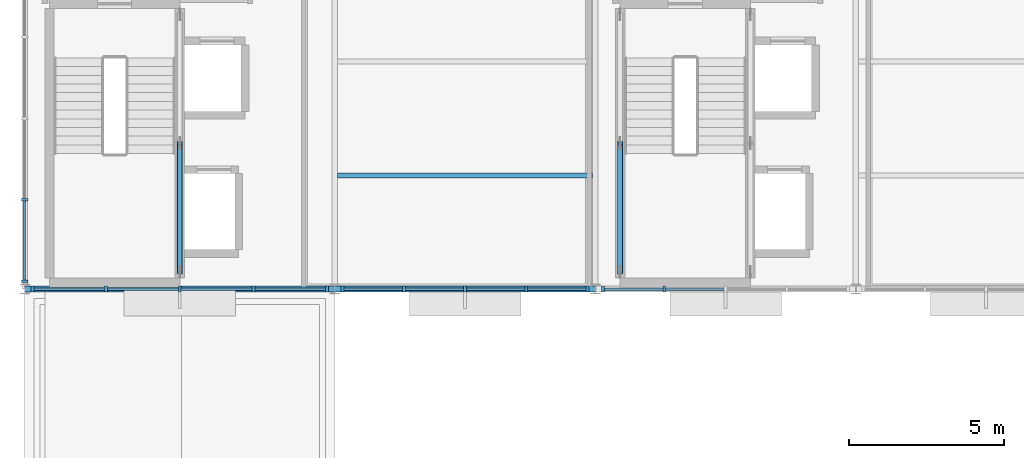
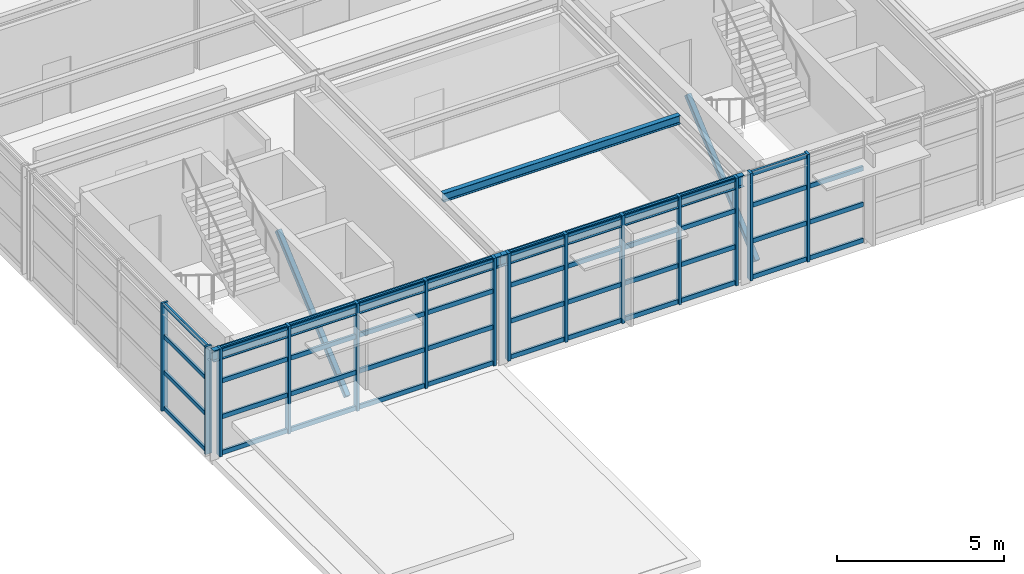
# One storey, part 5 of 21: 59 members, 3 beams, 4 elements without a shape of their own.
"""IFC4 building model written with IfcOpenShell, lengths in metres."""

from ifc_helpers import new_model, si_unit, direction, frame, origin, origin_2d, place, context, subcontext, project, spatial, rectangle, hollow_rectangle, i_section, extrude, material, layer, layer_set, material_profile, profile_set, type_object, element, aggregate, save


model = new_model("IFC4")

# Units and contexts
model_context = context("Model", 3, precision=1e-05, world=origin(), true_north=direction((0.0, 1.0)))
body_context = subcontext(model_context, "Body", "Model", "MODEL_VIEW")
ifc_project = project(units=[si_unit("LENGTHUNIT", "METRE"), si_unit("AREAUNIT", "SQUARE_METRE"), si_unit("VOLUMEUNIT", "CUBIC_METRE"), si_unit("PLANEANGLEUNIT", "RADIAN"), si_unit("MASSUNIT", "GRAM", prefix="KILO")], contexts=[model_context])

# Site, building, storey
site_placement = place(None, origin())
site = spatial("IfcSite", under=ifc_project, at=site_placement, CompositionType="ELEMENT")
building_placement = place(site_placement, origin())
building = spatial("IfcBuilding", under=site, at=building_placement, Name="Sitalva Quay Ferry Terminal", CompositionType="ELEMENT")
storey_placement = place(building_placement, frame((0.0, 0.0, 14.39990234375)))
storey = spatial("IfcBuildingStorey", under=building, at=storey_placement, Name="L04", CompositionType="ELEMENT", Elevation=14.39990234375)

# Beams
ifc_material_1 = material(Name="Structural Steel S355JR", Category="steel")
ifc_material_profile_1 = material_profile(ifc_material_1, i_section(OverallWidth=0.180908203125, OverallDepth=0.4169921875, WebThickness=0.010986328125, FlangeThickness=0.018310546875, FilletRadius=0.012939453125, at=origin_2d()), Name="W410x85")
ifc_profile_set_1 = profile_set([ifc_material_profile_1], Name="Structural Steel S355JR")
beam_type_1 = type_object("IfcBeamType", Name="Beam_W410x85", PredefinedType="BEAM", material=ifc_profile_set_1)
beam_1_placement = place(storey_placement, frame((74.0, 78.0, 3.74169921875), z_axis=(1.0, 0.0, 0.0), x_axis=(0.0, 1.0, 0.0)))
element("IfcBeam", 1, at=beam_1_placement, inside=storey, type_object=beam_type_1, Name="L04 Primary X girder 1325", PredefinedType="BEAM", context=body_context, shape_type="SweptSolid", body=[
    extrude(i_section(OverallWidth=0.180908203125, OverallDepth=0.4169921875, WebThickness=0.010986328125, FlangeThickness=0.018310546875, FilletRadius=0.012939453125, at=origin_2d()), origin(), (0.0, 0.0, 1.0), 10.0),
])
beam_2_placement = place(storey_placement, frame((84.0, 78.0, 3.74169921875), z_axis=(1.0, 0.0, 0.0), x_axis=(0.0, 1.0, 0.0)))
element("IfcBeam", 2, at=beam_2_placement, inside=storey, type_object=beam_type_1, Name="L04 Primary X girder 1326", PredefinedType="BEAM", context=body_context, shape_type="SweptSolid", body=[
    extrude(i_section(OverallWidth=0.180908203125, OverallDepth=0.4169921875, WebThickness=0.010986328125, FlangeThickness=0.018310546875, FilletRadius=0.012939453125, at=origin_2d()), origin(), (0.0, 0.0, 1.0), 8.39990234375),
])

# Members
ifc_material_2 = material(Name="Structural Steel S355JR", Category="steel")
ifc_material_profile_2 = material_profile(ifc_material_2, hollow_rectangle(XDim=0.179931640625, YDim=0.179931640625, WallThickness=0.010009765625, InnerFilletRadius=0.010009765625, OuterFilletRadius=0.02001953125, at=origin_2d()), Name="SHS180x180x10")
ifc_profile_set_2 = profile_set([ifc_material_profile_2], Name="Structural Steel S355JR")
member_type_1 = type_object("IfcMemberType", Name="Brace_SHS180x10", PredefinedType="BRACE", material=ifc_profile_set_2)
for number, where, z_axis, x_axis, name in (
    (3, (79.0, 78.550048828125, 0.150146484375), (0.0, 0.757199496801, 0.653183681704), (-1.0, 0.0, 0.0), "Braced frame BF2 L04 chevron A"),
    (4, (93.199951171875, 78.550048828125, 0.150146484375), (0.0, 0.757199496801, 0.653183681704), (-1.0, 0.0, 0.0), "Braced frame BF6 L04 chevron A"),
):
    element("IfcMember", number, at=place(storey_placement, frame(where, z_axis=z_axis, x_axis=x_axis)), inside=storey, type_object=member_type_1, Name=name, PredefinedType="BRACE", context=body_context, shape_type="SweptSolid", body=[
        extrude(hollow_rectangle(XDim=0.179931640625, YDim=0.179931640625, WallThickness=0.010009765625, InnerFilletRadius=0.010009765625, OuterFilletRadius=0.02001953125, at=origin_2d()), origin(), (0.0, 0.0, 1.0), 5.480712890625),
    ])

# Beam
ifc_material_3 = material(Name="Structural Steel S355JR", Category="steel")
ifc_material_profile_3 = material_profile(ifc_material_3, i_section(OverallWidth=0.166015625, OverallDepth=0.31298828125, WebThickness=0.006591796875, FlangeThickness=0.01123046875, FilletRadius=0.010986328125, at=origin_2d()), Name="W310x45")
ifc_profile_set_3 = profile_set([ifc_material_profile_3], Name="Structural Steel S355JR")
beam_type_2 = type_object("IfcBeamType", Name="Joist_W310x45", PredefinedType="JOIST", material=ifc_profile_set_3)
beam_3_placement = place(storey_placement, frame((84.089599609375, 81.666748046875, 3.793701171875), z_axis=(1.0, 0.0, 0.0), x_axis=(0.0, 1.0, 0.0)))
element("IfcBeam", 5, at=beam_3_placement, inside=storey, type_object=beam_type_2, Name="L04 Secondary joist 1363", PredefinedType="JOIST", context=body_context, shape_type="SweptSolid", body=[
    extrude(i_section(OverallWidth=0.166015625, OverallDepth=0.31298828125, WebThickness=0.006591796875, FlangeThickness=0.01123046875, FilletRadius=0.010986328125, at=origin_2d()), origin(), (0.0, 0.0, 1.0), 8.220947265625),
])

# Curtain wall, members
ifc_material_4 = material(Name="Anodised Aluminium & Low-E Glazing", Category="aluminium")
ifc_layer_1 = layer(ifc_material_4, 0.159912109375)
ifc_layer_set_1 = layer_set([ifc_layer_1], Name="Anodised Aluminium & Low-E Glazing")
curtain_wall_type_1 = type_object("IfcCurtainWallType", Name="CW_Office_Unitised", PredefinedType="USERDEFINED", material=ifc_layer_set_1)
curtain_wall_1_placement = place(storey_placement, origin())
curtain_wall_1 = element("IfcCurtainWall", 6, at=curtain_wall_1_placement, inside=storey, type_object=curtain_wall_type_1, Name="L04 pilotage west glazing (CW-L04-137)", ObjectType="CURTAIN_WALL", PredefinedType="USERDEFINED")
ifc_material_5 = material(Name="Anodised Aluminium 6063-T6", Category="aluminium")
ifc_material_profile_4 = material_profile(ifc_material_5, rectangle(XDim=0.074951171875, YDim=0.219970703125, at=origin_2d()), Name="ALU75x220")
ifc_profile_set_4 = profile_set([ifc_material_profile_4], Name="Anodised Aluminium 6063-T6")
member_type_2 = type_object("IfcMemberType", Name="Mullion_Alu_75x160", PredefinedType="MULLION", material=ifc_profile_set_4)
member_1_placement = place(storey_placement, frame((74.0, 78.25, 0.0), z_axis=(0.0, 0.0, 1.0), x_axis=(0.0, 1.0, 0.0)))
member_1 = element("IfcMember", 7, at=member_1_placement, type_object=member_type_2, Name="CW-L04-137-M0", PredefinedType="MULLION", context=body_context, shape_type="SweptSolid", body=[
    extrude(rectangle(XDim=0.074951171875, YDim=0.219970703125, at=origin_2d()), origin(), (0.0, 0.0, 1.0), 3.9501953125),
])
member_2_placement = place(storey_placement, frame((74.0, 80.875, 0.0), z_axis=(0.0, 0.0, 1.0), x_axis=(0.0, 1.0, 0.0)))
member_2 = element("IfcMember", 8, at=member_2_placement, type_object=member_type_2, Name="CW-L04-137-M1", PredefinedType="MULLION", context=body_context, shape_type="SweptSolid", body=[
    extrude(rectangle(XDim=0.074951171875, YDim=0.219970703125, at=origin_2d()), origin(), (0.0, 0.0, 1.0), 3.9501953125),
])

ifc_material_6 = material(Name="Anodised Aluminium & Low-E Glazing", Category="aluminium")
ifc_layer_2 = layer(ifc_material_6, 0.159912109375)
ifc_layer_set_2 = layer_set([ifc_layer_2], Name="Anodised Aluminium & Low-E Glazing")
curtain_wall_type_2 = type_object("IfcCurtainWallType", Name="CW_VTS_Sloped", PredefinedType="USERDEFINED", material=ifc_layer_set_2)
curtain_wall_2_placement = place(storey_placement, origin())
curtain_wall_2 = element("IfcCurtainWall", 9, at=curtain_wall_2_placement, inside=storey, type_object=curtain_wall_type_2, Name="L04 river navigation south glazing (CW-L04-143)", ObjectType="CURTAIN_WALL", PredefinedType="USERDEFINED")
ifc_material_7 = material(Name="Anodised Aluminium 6063-T6", Category="aluminium")
ifc_material_profile_5 = material_profile(ifc_material_7, rectangle(XDim=0.090087890625, YDim=0.199951171875, at=origin_2d()), Name="ALU90x200")
ifc_profile_set_5 = profile_set([ifc_material_profile_5], Name="Anodised Aluminium 6063-T6")
member_type_3 = type_object("IfcMemberType", Name="Mullion_Alu_90x200", PredefinedType="MULLION", material=ifc_profile_set_5)
member_3_placement = place(storey_placement, frame((74.25, 78.0, 0.0), z_axis=(0.0, 0.0, 1.0), x_axis=(1.0, 0.0, 0.0)))
member_3 = element("IfcMember", 10, at=member_3_placement, type_object=member_type_3, Name="CW-L04-143-M0", PredefinedType="MULLION", context=body_context, shape_type="SweptSolid", body=[
    extrude(rectangle(XDim=0.090087890625, YDim=0.199951171875, at=origin_2d()), origin(), (0.0, 0.0, 1.0), 3.9501953125),
])
member_4_placement = place(storey_placement, frame((76.625, 78.0, 0.0), z_axis=(0.0, 0.0, 1.0), x_axis=(1.0, 0.0, 0.0)))
member_4 = element("IfcMember", 11, at=member_4_placement, type_object=member_type_3, Name="CW-L04-143-M1", PredefinedType="MULLION", context=body_context, shape_type="SweptSolid", body=[
    extrude(rectangle(XDim=0.090087890625, YDim=0.199951171875, at=origin_2d()), origin(), (0.0, 0.0, 1.0), 3.9501953125),
])
member_5_placement = place(storey_placement, frame((79.0, 78.0, 0.0), z_axis=(0.0, 0.0, 1.0), x_axis=(1.0, 0.0, 0.0)))
member_5 = element("IfcMember", 12, at=member_5_placement, type_object=member_type_3, Name="CW-L04-143-M2", PredefinedType="MULLION", context=body_context, shape_type="SweptSolid", body=[
    extrude(rectangle(XDim=0.090087890625, YDim=0.199951171875, at=origin_2d()), origin(), (0.0, 0.0, 1.0), 3.9501953125),
])
member_6_placement = place(storey_placement, frame((81.375, 78.0, 0.0), z_axis=(0.0, 0.0, 1.0), x_axis=(1.0, 0.0, 0.0)))
member_6 = element("IfcMember", 13, at=member_6_placement, type_object=member_type_3, Name="CW-L04-143-M3", PredefinedType="MULLION", context=body_context, shape_type="SweptSolid", body=[
    extrude(rectangle(XDim=0.090087890625, YDim=0.199951171875, at=origin_2d()), origin(), (0.0, 0.0, 1.0), 3.9501953125),
])
member_7_placement = place(storey_placement, frame((83.75, 78.0, 0.0), z_axis=(0.0, 0.0, 1.0), x_axis=(1.0, 0.0, 0.0)))
member_7 = element("IfcMember", 14, at=member_7_placement, type_object=member_type_3, Name="CW-L04-143-M4", PredefinedType="MULLION", context=body_context, shape_type="SweptSolid", body=[
    extrude(rectangle(XDim=0.090087890625, YDim=0.199951171875, at=origin_2d()), origin(), (0.0, 0.0, 1.0), 3.9501953125),
])

curtain_wall_3_placement = place(storey_placement, origin())
curtain_wall_3 = element("IfcCurtainWall", 15, at=curtain_wall_3_placement, inside=storey, type_object=curtain_wall_type_2, Name="L04 river navigation south glazing (CW-L04-144)", ObjectType="CURTAIN_WALL", PredefinedType="USERDEFINED")
member_8_placement = place(storey_placement, frame((84.25, 78.0, 0.0), z_axis=(0.0, 0.0, 1.0), x_axis=(1.0, 0.0, 0.0)))
member_8 = element("IfcMember", 16, at=member_8_placement, type_object=member_type_3, Name="CW-L04-144-M0", PredefinedType="MULLION", context=body_context, shape_type="SweptSolid", body=[
    extrude(rectangle(XDim=0.090087890625, YDim=0.199951171875, at=origin_2d()), origin(), (0.0, 0.0, 1.0), 3.9501953125),
])
member_9_placement = place(storey_placement, frame((86.22509765625, 78.0, 0.0), z_axis=(0.0, 0.0, 1.0), x_axis=(1.0, 0.0, 0.0)))
member_9 = element("IfcMember", 17, at=member_9_placement, type_object=member_type_3, Name="CW-L04-144-M1", PredefinedType="MULLION", context=body_context, shape_type="SweptSolid", body=[
    extrude(rectangle(XDim=0.090087890625, YDim=0.199951171875, at=origin_2d()), origin(), (0.0, 0.0, 1.0), 3.9501953125),
])
member_10_placement = place(storey_placement, frame((88.199951171875, 78.0, 0.0), z_axis=(0.0, 0.0, 1.0), x_axis=(1.0, 0.0, 0.0)))
member_10 = element("IfcMember", 18, at=member_10_placement, type_object=member_type_3, Name="CW-L04-144-M2", PredefinedType="MULLION", context=body_context, shape_type="SweptSolid", body=[
    extrude(rectangle(XDim=0.090087890625, YDim=0.199951171875, at=origin_2d()), origin(), (0.0, 0.0, 1.0), 3.9501953125),
])
member_11_placement = place(storey_placement, frame((90.175048828125, 78.0, 0.0), z_axis=(0.0, 0.0, 1.0), x_axis=(1.0, 0.0, 0.0)))
member_11 = element("IfcMember", 19, at=member_11_placement, type_object=member_type_3, Name="CW-L04-144-M3", PredefinedType="MULLION", context=body_context, shape_type="SweptSolid", body=[
    extrude(rectangle(XDim=0.090087890625, YDim=0.199951171875, at=origin_2d()), origin(), (0.0, 0.0, 1.0), 3.9501953125),
])
member_12_placement = place(storey_placement, frame((92.14990234375, 78.0, 0.0), z_axis=(0.0, 0.0, 1.0), x_axis=(1.0, 0.0, 0.0)))
member_12 = element("IfcMember", 20, at=member_12_placement, type_object=member_type_3, Name="CW-L04-144-M4", PredefinedType="MULLION", context=body_context, shape_type="SweptSolid", body=[
    extrude(rectangle(XDim=0.090087890625, YDim=0.199951171875, at=origin_2d()), origin(), (0.0, 0.0, 1.0), 3.9501953125),
])

curtain_wall_4_placement = place(storey_placement, origin())
curtain_wall_4 = element("IfcCurtainWall", 21, at=curtain_wall_4_placement, inside=storey, type_object=curtain_wall_type_2, Name="L04 river navigation south glazing (CW-L04-145)", ObjectType="CURTAIN_WALL", PredefinedType="USERDEFINED")
member_13_placement = place(storey_placement, frame((92.64990234375, 78.0, 0.0), z_axis=(0.0, 0.0, 1.0), x_axis=(1.0, 0.0, 0.0)))
member_13 = element("IfcMember", 22, at=member_13_placement, type_object=member_type_3, Name="CW-L04-145-M0", PredefinedType="MULLION", context=body_context, shape_type="SweptSolid", body=[
    extrude(rectangle(XDim=0.090087890625, YDim=0.199951171875, at=origin_2d()), origin(), (0.0, 0.0, 1.0), 3.9501953125),
])
member_14_placement = place(storey_placement, frame((94.625, 78.0, 0.0), z_axis=(0.0, 0.0, 1.0), x_axis=(1.0, 0.0, 0.0)))
member_14 = element("IfcMember", 23, at=member_14_placement, type_object=member_type_3, Name="CW-L04-145-M1", PredefinedType="MULLION", context=body_context, shape_type="SweptSolid", body=[
    extrude(rectangle(XDim=0.090087890625, YDim=0.199951171875, at=origin_2d()), origin(), (0.0, 0.0, 1.0), 3.9501953125),
])

# Member
ifc_material_8 = material(Name="Anodised Aluminium 6063-T6", Category="aluminium")
ifc_material_profile_6 = material_profile(ifc_material_8, rectangle(XDim=0.074951171875, YDim=0.14990234375, at=origin_2d()), Name="ALU75x150")
ifc_profile_set_6 = profile_set([ifc_material_profile_6], Name="Anodised Aluminium 6063-T6")
member_type_4 = type_object("IfcMemberType", Name="Transom_Alu_75x140", PredefinedType="MULLION", material=ifc_profile_set_6)
member_15_placement = place(storey_placement, frame((74.0, 78.28759765625, 0.0751953125), z_axis=(0.0, 1.0, 0.0), x_axis=(-1.0, 0.0, 0.0)))
member_15 = element("IfcMember", 24, at=member_15_placement, type_object=member_type_4, Name="CW-L04-137-T0-0", ObjectType="TRANSOM", PredefinedType="USERDEFINED", context=body_context, shape_type="SweptSolid", body=[
    extrude(rectangle(XDim=0.074951171875, YDim=0.14990234375, at=origin_2d()), origin(), (0.0, 0.0, 1.0), 2.5498046875),
])

member_16_placement = place(storey_placement, frame((74.0, 78.28759765625, 1.391845703125), z_axis=(0.0, 1.0, 0.0), x_axis=(-1.0, 0.0, 0.0)))
member_16 = element("IfcMember", 25, at=member_16_placement, type_object=member_type_4, Name="CW-L04-137-T0-1", ObjectType="TRANSOM", PredefinedType="USERDEFINED", context=body_context, shape_type="SweptSolid", body=[
    extrude(rectangle(XDim=0.074951171875, YDim=0.14990234375, at=origin_2d()), origin(), (0.0, 0.0, 1.0), 2.5498046875),
])

member_17_placement = place(storey_placement, frame((74.0, 78.28759765625, 2.70849609375), z_axis=(0.0, 1.0, 0.0), x_axis=(-1.0, 0.0, 0.0)))
member_17 = element("IfcMember", 26, at=member_17_placement, type_object=member_type_4, Name="CW-L04-137-T0-2", ObjectType="TRANSOM", PredefinedType="USERDEFINED", context=body_context, shape_type="SweptSolid", body=[
    extrude(rectangle(XDim=0.074951171875, YDim=0.14990234375, at=origin_2d()), origin(), (0.0, 0.0, 1.0), 2.5498046875),
])

member_18_placement = place(storey_placement, frame((74.0, 78.28759765625, 3.875), z_axis=(0.0, 1.0, 0.0), x_axis=(-1.0, 0.0, 0.0)))
member_18 = element("IfcMember", 27, at=member_18_placement, type_object=member_type_4, Name="CW-L04-137-T0-3", ObjectType="TRANSOM", PredefinedType="USERDEFINED", context=body_context, shape_type="SweptSolid", body=[
    extrude(rectangle(XDim=0.074951171875, YDim=0.14990234375, at=origin_2d()), origin(), (0.0, 0.0, 1.0), 2.5498046875),
])

aggregate(curtain_wall_1, [member_1, member_2, member_15, member_16, member_17, member_18])

ifc_material_9 = material(Name="Anodised Aluminium 6063-T6", Category="aluminium")
ifc_material_profile_7 = material_profile(ifc_material_9, rectangle(XDim=0.080078125, YDim=0.1650390625, at=origin_2d()), Name="ALU80x165")
ifc_profile_set_7 = profile_set([ifc_material_profile_7], Name="Anodised Aluminium 6063-T6")
member_type_5 = type_object("IfcMemberType", Name="Transom_Alu_80x165", PredefinedType="MULLION", material=ifc_profile_set_7)
member_19_placement = place(storey_placement, frame((74.294921875, 78.0, 0.08251953125), z_axis=(1.0, 0.0, 0.0), x_axis=(0.0, 1.0, 0.0)))
member_19 = element("IfcMember", 28, at=member_19_placement, type_object=member_type_5, Name="CW-L04-143-T0-0", ObjectType="TRANSOM", PredefinedType="USERDEFINED", context=body_context, shape_type="SweptSolid", body=[
    extrude(rectangle(XDim=0.080078125, YDim=0.1650390625, at=origin_2d()), origin(), (0.0, 0.0, 1.0), 2.28515625),
])

member_20_placement = place(storey_placement, frame((74.294921875, 78.0, 1.399169921875), z_axis=(1.0, 0.0, 0.0), x_axis=(0.0, 1.0, 0.0)))
member_20 = element("IfcMember", 29, at=member_20_placement, type_object=member_type_5, Name="CW-L04-143-T0-1", ObjectType="TRANSOM", PredefinedType="USERDEFINED", context=body_context, shape_type="SweptSolid", body=[
    extrude(rectangle(XDim=0.080078125, YDim=0.1650390625, at=origin_2d()), origin(), (0.0, 0.0, 1.0), 2.28515625),
])

member_21_placement = place(storey_placement, frame((74.294921875, 78.0, 2.7158203125), z_axis=(1.0, 0.0, 0.0), x_axis=(0.0, 1.0, 0.0)))
member_21 = element("IfcMember", 30, at=member_21_placement, type_object=member_type_5, Name="CW-L04-143-T0-2", ObjectType="TRANSOM", PredefinedType="USERDEFINED", context=body_context, shape_type="SweptSolid", body=[
    extrude(rectangle(XDim=0.080078125, YDim=0.1650390625, at=origin_2d()), origin(), (0.0, 0.0, 1.0), 2.28515625),
])

member_22_placement = place(storey_placement, frame((74.294921875, 78.0, 3.86767578125), z_axis=(1.0, 0.0, 0.0), x_axis=(0.0, 1.0, 0.0)))
member_22 = element("IfcMember", 31, at=member_22_placement, type_object=member_type_5, Name="CW-L04-143-T0-3", ObjectType="TRANSOM", PredefinedType="USERDEFINED", context=body_context, shape_type="SweptSolid", body=[
    extrude(rectangle(XDim=0.080078125, YDim=0.1650390625, at=origin_2d()), origin(), (0.0, 0.0, 1.0), 2.28515625),
])

member_23_placement = place(storey_placement, frame((76.669921875, 78.0, 0.08251953125), z_axis=(1.0, 0.0, 0.0), x_axis=(0.0, 1.0, 0.0)))
member_23 = element("IfcMember", 32, at=member_23_placement, type_object=member_type_5, Name="CW-L04-143-T1-0", ObjectType="TRANSOM", PredefinedType="USERDEFINED", context=body_context, shape_type="SweptSolid", body=[
    extrude(rectangle(XDim=0.080078125, YDim=0.1650390625, at=origin_2d()), origin(), (0.0, 0.0, 1.0), 2.28515625),
])

member_24_placement = place(storey_placement, frame((76.669921875, 78.0, 1.399169921875), z_axis=(1.0, 0.0, 0.0), x_axis=(0.0, 1.0, 0.0)))
member_24 = element("IfcMember", 33, at=member_24_placement, type_object=member_type_5, Name="CW-L04-143-T1-1", ObjectType="TRANSOM", PredefinedType="USERDEFINED", context=body_context, shape_type="SweptSolid", body=[
    extrude(rectangle(XDim=0.080078125, YDim=0.1650390625, at=origin_2d()), origin(), (0.0, 0.0, 1.0), 2.28515625),
])

member_25_placement = place(storey_placement, frame((76.669921875, 78.0, 2.7158203125), z_axis=(1.0, 0.0, 0.0), x_axis=(0.0, 1.0, 0.0)))
member_25 = element("IfcMember", 34, at=member_25_placement, type_object=member_type_5, Name="CW-L04-143-T1-2", ObjectType="TRANSOM", PredefinedType="USERDEFINED", context=body_context, shape_type="SweptSolid", body=[
    extrude(rectangle(XDim=0.080078125, YDim=0.1650390625, at=origin_2d()), origin(), (0.0, 0.0, 1.0), 2.28515625),
])

member_26_placement = place(storey_placement, frame((76.669921875, 78.0, 3.86767578125), z_axis=(1.0, 0.0, 0.0), x_axis=(0.0, 1.0, 0.0)))
member_26 = element("IfcMember", 35, at=member_26_placement, type_object=member_type_5, Name="CW-L04-143-T1-3", ObjectType="TRANSOM", PredefinedType="USERDEFINED", context=body_context, shape_type="SweptSolid", body=[
    extrude(rectangle(XDim=0.080078125, YDim=0.1650390625, at=origin_2d()), origin(), (0.0, 0.0, 1.0), 2.28515625),
])

member_27_placement = place(storey_placement, frame((79.044921875, 78.0, 0.08251953125), z_axis=(1.0, 0.0, 0.0), x_axis=(0.0, 1.0, 0.0)))
member_27 = element("IfcMember", 36, at=member_27_placement, type_object=member_type_5, Name="CW-L04-143-T2-0", ObjectType="TRANSOM", PredefinedType="USERDEFINED", context=body_context, shape_type="SweptSolid", body=[
    extrude(rectangle(XDim=0.080078125, YDim=0.1650390625, at=origin_2d()), origin(), (0.0, 0.0, 1.0), 2.28515625),
])

member_28_placement = place(storey_placement, frame((79.044921875, 78.0, 1.399169921875), z_axis=(1.0, 0.0, 0.0), x_axis=(0.0, 1.0, 0.0)))
member_28 = element("IfcMember", 37, at=member_28_placement, type_object=member_type_5, Name="CW-L04-143-T2-1", ObjectType="TRANSOM", PredefinedType="USERDEFINED", context=body_context, shape_type="SweptSolid", body=[
    extrude(rectangle(XDim=0.080078125, YDim=0.1650390625, at=origin_2d()), origin(), (0.0, 0.0, 1.0), 2.28515625),
])

member_29_placement = place(storey_placement, frame((79.044921875, 78.0, 2.7158203125), z_axis=(1.0, 0.0, 0.0), x_axis=(0.0, 1.0, 0.0)))
member_29 = element("IfcMember", 38, at=member_29_placement, type_object=member_type_5, Name="CW-L04-143-T2-2", ObjectType="TRANSOM", PredefinedType="USERDEFINED", context=body_context, shape_type="SweptSolid", body=[
    extrude(rectangle(XDim=0.080078125, YDim=0.1650390625, at=origin_2d()), origin(), (0.0, 0.0, 1.0), 2.28515625),
])

member_30_placement = place(storey_placement, frame((79.044921875, 78.0, 3.86767578125), z_axis=(1.0, 0.0, 0.0), x_axis=(0.0, 1.0, 0.0)))
member_30 = element("IfcMember", 39, at=member_30_placement, type_object=member_type_5, Name="CW-L04-143-T2-3", ObjectType="TRANSOM", PredefinedType="USERDEFINED", context=body_context, shape_type="SweptSolid", body=[
    extrude(rectangle(XDim=0.080078125, YDim=0.1650390625, at=origin_2d()), origin(), (0.0, 0.0, 1.0), 2.28515625),
])

member_31_placement = place(storey_placement, frame((81.419921875, 78.0, 0.08251953125), z_axis=(1.0, 0.0, 0.0), x_axis=(0.0, 1.0, 0.0)))
member_31 = element("IfcMember", 40, at=member_31_placement, type_object=member_type_5, Name="CW-L04-143-T3-0", ObjectType="TRANSOM", PredefinedType="USERDEFINED", context=body_context, shape_type="SweptSolid", body=[
    extrude(rectangle(XDim=0.080078125, YDim=0.1650390625, at=origin_2d()), origin(), (0.0, 0.0, 1.0), 2.28515625),
])

member_32_placement = place(storey_placement, frame((81.419921875, 78.0, 1.399169921875), z_axis=(1.0, 0.0, 0.0), x_axis=(0.0, 1.0, 0.0)))
member_32 = element("IfcMember", 41, at=member_32_placement, type_object=member_type_5, Name="CW-L04-143-T3-1", ObjectType="TRANSOM", PredefinedType="USERDEFINED", context=body_context, shape_type="SweptSolid", body=[
    extrude(rectangle(XDim=0.080078125, YDim=0.1650390625, at=origin_2d()), origin(), (0.0, 0.0, 1.0), 2.28515625),
])

member_33_placement = place(storey_placement, frame((81.419921875, 78.0, 2.7158203125), z_axis=(1.0, 0.0, 0.0), x_axis=(0.0, 1.0, 0.0)))
member_33 = element("IfcMember", 42, at=member_33_placement, type_object=member_type_5, Name="CW-L04-143-T3-2", ObjectType="TRANSOM", PredefinedType="USERDEFINED", context=body_context, shape_type="SweptSolid", body=[
    extrude(rectangle(XDim=0.080078125, YDim=0.1650390625, at=origin_2d()), origin(), (0.0, 0.0, 1.0), 2.28515625),
])

member_34_placement = place(storey_placement, frame((81.419921875, 78.0, 3.86767578125), z_axis=(1.0, 0.0, 0.0), x_axis=(0.0, 1.0, 0.0)))
member_34 = element("IfcMember", 43, at=member_34_placement, type_object=member_type_5, Name="CW-L04-143-T3-3", ObjectType="TRANSOM", PredefinedType="USERDEFINED", context=body_context, shape_type="SweptSolid", body=[
    extrude(rectangle(XDim=0.080078125, YDim=0.1650390625, at=origin_2d()), origin(), (0.0, 0.0, 1.0), 2.28515625),
])

aggregate(curtain_wall_2, [member_3, member_4, member_5, member_6, member_7, member_19, member_20, member_21, member_22, member_23, member_24, member_25, member_26, member_27, member_28, member_29, member_30, member_31, member_32, member_33, member_34])

member_35_placement = place(storey_placement, frame((84.294921875, 78.0, 0.08251953125), z_axis=(1.0, 0.0, 0.0), x_axis=(0.0, 1.0, 0.0)))
member_35 = element("IfcMember", 44, at=member_35_placement, type_object=member_type_5, Name="CW-L04-144-T0-0", ObjectType="TRANSOM", PredefinedType="USERDEFINED", context=body_context, shape_type="SweptSolid", body=[
    extrude(rectangle(XDim=0.080078125, YDim=0.1650390625, at=origin_2d()), origin(), (0.0, 0.0, 1.0), 1.885009765625),
])

member_36_placement = place(storey_placement, frame((84.294921875, 78.0, 1.399169921875), z_axis=(1.0, 0.0, 0.0), x_axis=(0.0, 1.0, 0.0)))
member_36 = element("IfcMember", 45, at=member_36_placement, type_object=member_type_5, Name="CW-L04-144-T0-1", ObjectType="TRANSOM", PredefinedType="USERDEFINED", context=body_context, shape_type="SweptSolid", body=[
    extrude(rectangle(XDim=0.080078125, YDim=0.1650390625, at=origin_2d()), origin(), (0.0, 0.0, 1.0), 1.885009765625),
])

member_37_placement = place(storey_placement, frame((84.294921875, 78.0, 2.7158203125), z_axis=(1.0, 0.0, 0.0), x_axis=(0.0, 1.0, 0.0)))
member_37 = element("IfcMember", 46, at=member_37_placement, type_object=member_type_5, Name="CW-L04-144-T0-2", ObjectType="TRANSOM", PredefinedType="USERDEFINED", context=body_context, shape_type="SweptSolid", body=[
    extrude(rectangle(XDim=0.080078125, YDim=0.1650390625, at=origin_2d()), origin(), (0.0, 0.0, 1.0), 1.885009765625),
])

member_38_placement = place(storey_placement, frame((84.294921875, 78.0, 3.86767578125), z_axis=(1.0, 0.0, 0.0), x_axis=(0.0, 1.0, 0.0)))
member_38 = element("IfcMember", 47, at=member_38_placement, type_object=member_type_5, Name="CW-L04-144-T0-3", ObjectType="TRANSOM", PredefinedType="USERDEFINED", context=body_context, shape_type="SweptSolid", body=[
    extrude(rectangle(XDim=0.080078125, YDim=0.1650390625, at=origin_2d()), origin(), (0.0, 0.0, 1.0), 1.885009765625),
])

member_39_placement = place(storey_placement, frame((86.27001953125, 78.0, 0.08251953125), z_axis=(1.0, 0.0, 0.0), x_axis=(0.0, 1.0, 0.0)))
member_39 = element("IfcMember", 48, at=member_39_placement, type_object=member_type_5, Name="CW-L04-144-T1-0", ObjectType="TRANSOM", PredefinedType="USERDEFINED", context=body_context, shape_type="SweptSolid", body=[
    extrude(rectangle(XDim=0.080078125, YDim=0.1650390625, at=origin_2d()), origin(), (0.0, 0.0, 1.0), 1.885009765625),
])

member_40_placement = place(storey_placement, frame((86.27001953125, 78.0, 1.399169921875), z_axis=(1.0, 0.0, 0.0), x_axis=(0.0, 1.0, 0.0)))
member_40 = element("IfcMember", 49, at=member_40_placement, type_object=member_type_5, Name="CW-L04-144-T1-1", ObjectType="TRANSOM", PredefinedType="USERDEFINED", context=body_context, shape_type="SweptSolid", body=[
    extrude(rectangle(XDim=0.080078125, YDim=0.1650390625, at=origin_2d()), origin(), (0.0, 0.0, 1.0), 1.885009765625),
])

member_41_placement = place(storey_placement, frame((86.27001953125, 78.0, 2.7158203125), z_axis=(1.0, 0.0, 0.0), x_axis=(0.0, 1.0, 0.0)))
member_41 = element("IfcMember", 50, at=member_41_placement, type_object=member_type_5, Name="CW-L04-144-T1-2", ObjectType="TRANSOM", PredefinedType="USERDEFINED", context=body_context, shape_type="SweptSolid", body=[
    extrude(rectangle(XDim=0.080078125, YDim=0.1650390625, at=origin_2d()), origin(), (0.0, 0.0, 1.0), 1.885009765625),
])

member_42_placement = place(storey_placement, frame((86.27001953125, 78.0, 3.86767578125), z_axis=(1.0, 0.0, 0.0), x_axis=(0.0, 1.0, 0.0)))
member_42 = element("IfcMember", 51, at=member_42_placement, type_object=member_type_5, Name="CW-L04-144-T1-3", ObjectType="TRANSOM", PredefinedType="USERDEFINED", context=body_context, shape_type="SweptSolid", body=[
    extrude(rectangle(XDim=0.080078125, YDim=0.1650390625, at=origin_2d()), origin(), (0.0, 0.0, 1.0), 1.885009765625),
])

member_43_placement = place(storey_placement, frame((88.2451171875, 78.0, 0.08251953125), z_axis=(1.0, 0.0, 0.0), x_axis=(0.0, 1.0, 0.0)))
member_43 = element("IfcMember", 52, at=member_43_placement, type_object=member_type_5, Name="CW-L04-144-T2-0", ObjectType="TRANSOM", PredefinedType="USERDEFINED", context=body_context, shape_type="SweptSolid", body=[
    extrude(rectangle(XDim=0.080078125, YDim=0.1650390625, at=origin_2d()), origin(), (0.0, 0.0, 1.0), 1.884765625),
])

member_44_placement = place(storey_placement, frame((88.2451171875, 78.0, 1.399169921875), z_axis=(1.0, 0.0, 0.0), x_axis=(0.0, 1.0, 0.0)))
member_44 = element("IfcMember", 53, at=member_44_placement, type_object=member_type_5, Name="CW-L04-144-T2-1", ObjectType="TRANSOM", PredefinedType="USERDEFINED", context=body_context, shape_type="SweptSolid", body=[
    extrude(rectangle(XDim=0.080078125, YDim=0.1650390625, at=origin_2d()), origin(), (0.0, 0.0, 1.0), 1.884765625),
])

member_45_placement = place(storey_placement, frame((88.2451171875, 78.0, 2.7158203125), z_axis=(1.0, 0.0, 0.0), x_axis=(0.0, 1.0, 0.0)))
member_45 = element("IfcMember", 54, at=member_45_placement, type_object=member_type_5, Name="CW-L04-144-T2-2", ObjectType="TRANSOM", PredefinedType="USERDEFINED", context=body_context, shape_type="SweptSolid", body=[
    extrude(rectangle(XDim=0.080078125, YDim=0.1650390625, at=origin_2d()), origin(), (0.0, 0.0, 1.0), 1.884765625),
])

member_46_placement = place(storey_placement, frame((88.2451171875, 78.0, 3.86767578125), z_axis=(1.0, 0.0, 0.0), x_axis=(0.0, 1.0, 0.0)))
member_46 = element("IfcMember", 55, at=member_46_placement, type_object=member_type_5, Name="CW-L04-144-T2-3", ObjectType="TRANSOM", PredefinedType="USERDEFINED", context=body_context, shape_type="SweptSolid", body=[
    extrude(rectangle(XDim=0.080078125, YDim=0.1650390625, at=origin_2d()), origin(), (0.0, 0.0, 1.0), 1.884765625),
])

member_47_placement = place(storey_placement, frame((90.219970703125, 78.0, 0.08251953125), z_axis=(1.0, 0.0, 0.0), x_axis=(0.0, 1.0, 0.0)))
member_47 = element("IfcMember", 56, at=member_47_placement, type_object=member_type_5, Name="CW-L04-144-T3-0", ObjectType="TRANSOM", PredefinedType="USERDEFINED", context=body_context, shape_type="SweptSolid", body=[
    extrude(rectangle(XDim=0.080078125, YDim=0.1650390625, at=origin_2d()), origin(), (0.0, 0.0, 1.0), 1.885009765625),
])

member_48_placement = place(storey_placement, frame((90.219970703125, 78.0, 1.399169921875), z_axis=(1.0, 0.0, 0.0), x_axis=(0.0, 1.0, 0.0)))
member_48 = element("IfcMember", 57, at=member_48_placement, type_object=member_type_5, Name="CW-L04-144-T3-1", ObjectType="TRANSOM", PredefinedType="USERDEFINED", context=body_context, shape_type="SweptSolid", body=[
    extrude(rectangle(XDim=0.080078125, YDim=0.1650390625, at=origin_2d()), origin(), (0.0, 0.0, 1.0), 1.885009765625),
])

member_49_placement = place(storey_placement, frame((90.219970703125, 78.0, 2.7158203125), z_axis=(1.0, 0.0, 0.0), x_axis=(0.0, 1.0, 0.0)))
member_49 = element("IfcMember", 58, at=member_49_placement, type_object=member_type_5, Name="CW-L04-144-T3-2", ObjectType="TRANSOM", PredefinedType="USERDEFINED", context=body_context, shape_type="SweptSolid", body=[
    extrude(rectangle(XDim=0.080078125, YDim=0.1650390625, at=origin_2d()), origin(), (0.0, 0.0, 1.0), 1.885009765625),
])

member_50_placement = place(storey_placement, frame((90.219970703125, 78.0, 3.86767578125), z_axis=(1.0, 0.0, 0.0), x_axis=(0.0, 1.0, 0.0)))
member_50 = element("IfcMember", 59, at=member_50_placement, type_object=member_type_5, Name="CW-L04-144-T3-3", ObjectType="TRANSOM", PredefinedType="USERDEFINED", context=body_context, shape_type="SweptSolid", body=[
    extrude(rectangle(XDim=0.080078125, YDim=0.1650390625, at=origin_2d()), origin(), (0.0, 0.0, 1.0), 1.885009765625),
])

aggregate(curtain_wall_3, [member_8, member_9, member_10, member_11, member_12, member_35, member_36, member_37, member_38, member_39, member_40, member_41, member_42, member_43, member_44, member_45, member_46, member_47, member_48, member_49, member_50])

member_51_placement = place(storey_placement, frame((92.695068359375, 78.0, 0.08251953125), z_axis=(1.0, 0.0, 0.0), x_axis=(0.0, 1.0, 0.0)))
member_51 = element("IfcMember", 60, at=member_51_placement, type_object=member_type_5, Name="CW-L04-145-T0-0", ObjectType="TRANSOM", PredefinedType="USERDEFINED", context=body_context, shape_type="SweptSolid", body=[
    extrude(rectangle(XDim=0.080078125, YDim=0.1650390625, at=origin_2d()), origin(), (0.0, 0.0, 1.0), 1.885009765625),
])

member_52_placement = place(storey_placement, frame((92.695068359375, 78.0, 1.399169921875), z_axis=(1.0, 0.0, 0.0), x_axis=(0.0, 1.0, 0.0)))
member_52 = element("IfcMember", 61, at=member_52_placement, type_object=member_type_5, Name="CW-L04-145-T0-1", ObjectType="TRANSOM", PredefinedType="USERDEFINED", context=body_context, shape_type="SweptSolid", body=[
    extrude(rectangle(XDim=0.080078125, YDim=0.1650390625, at=origin_2d()), origin(), (0.0, 0.0, 1.0), 1.885009765625),
])

member_53_placement = place(storey_placement, frame((92.695068359375, 78.0, 2.7158203125), z_axis=(1.0, 0.0, 0.0), x_axis=(0.0, 1.0, 0.0)))
member_53 = element("IfcMember", 62, at=member_53_placement, type_object=member_type_5, Name="CW-L04-145-T0-2", ObjectType="TRANSOM", PredefinedType="USERDEFINED", context=body_context, shape_type="SweptSolid", body=[
    extrude(rectangle(XDim=0.080078125, YDim=0.1650390625, at=origin_2d()), origin(), (0.0, 0.0, 1.0), 1.885009765625),
])

member_54_placement = place(storey_placement, frame((92.695068359375, 78.0, 3.86767578125), z_axis=(1.0, 0.0, 0.0), x_axis=(0.0, 1.0, 0.0)))
member_54 = element("IfcMember", 63, at=member_54_placement, type_object=member_type_5, Name="CW-L04-145-T0-3", ObjectType="TRANSOM", PredefinedType="USERDEFINED", context=body_context, shape_type="SweptSolid", body=[
    extrude(rectangle(XDim=0.080078125, YDim=0.1650390625, at=origin_2d()), origin(), (0.0, 0.0, 1.0), 1.885009765625),
])

member_55_placement = place(storey_placement, frame((94.669921875, 78.0, 0.08251953125), z_axis=(1.0, 0.0, 0.0), x_axis=(0.0, 1.0, 0.0)))
member_55 = element("IfcMember", 64, at=member_55_placement, type_object=member_type_5, Name="CW-L04-145-T1-0", ObjectType="TRANSOM", PredefinedType="USERDEFINED", context=body_context, shape_type="SweptSolid", body=[
    extrude(rectangle(XDim=0.080078125, YDim=0.1650390625, at=origin_2d()), origin(), (0.0, 0.0, 1.0), 1.885009765625),
])

member_56_placement = place(storey_placement, frame((94.669921875, 78.0, 1.399169921875), z_axis=(1.0, 0.0, 0.0), x_axis=(0.0, 1.0, 0.0)))
member_56 = element("IfcMember", 65, at=member_56_placement, type_object=member_type_5, Name="CW-L04-145-T1-1", ObjectType="TRANSOM", PredefinedType="USERDEFINED", context=body_context, shape_type="SweptSolid", body=[
    extrude(rectangle(XDim=0.080078125, YDim=0.1650390625, at=origin_2d()), origin(), (0.0, 0.0, 1.0), 1.885009765625),
])

member_57_placement = place(storey_placement, frame((94.669921875, 78.0, 2.7158203125), z_axis=(1.0, 0.0, 0.0), x_axis=(0.0, 1.0, 0.0)))
member_57 = element("IfcMember", 66, at=member_57_placement, type_object=member_type_5, Name="CW-L04-145-T1-2", ObjectType="TRANSOM", PredefinedType="USERDEFINED", context=body_context, shape_type="SweptSolid", body=[
    extrude(rectangle(XDim=0.080078125, YDim=0.1650390625, at=origin_2d()), origin(), (0.0, 0.0, 1.0), 1.885009765625),
])

aggregate(curtain_wall_4, [member_13, member_14, member_51, member_52, member_53, member_54, member_55, member_56, member_57])

save(model, "model.ifc")
